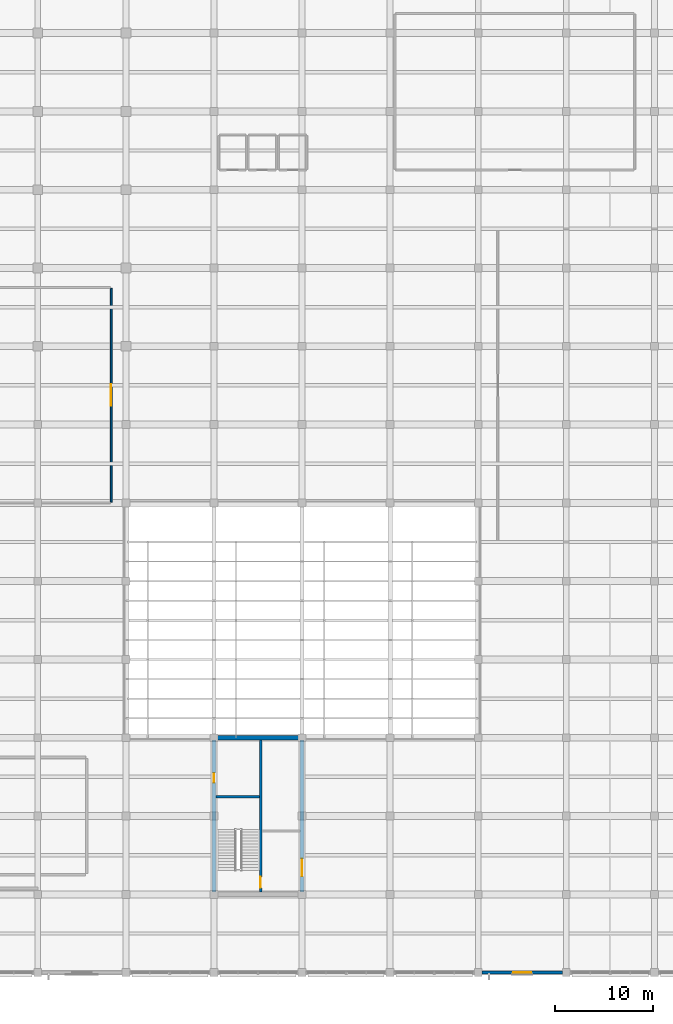
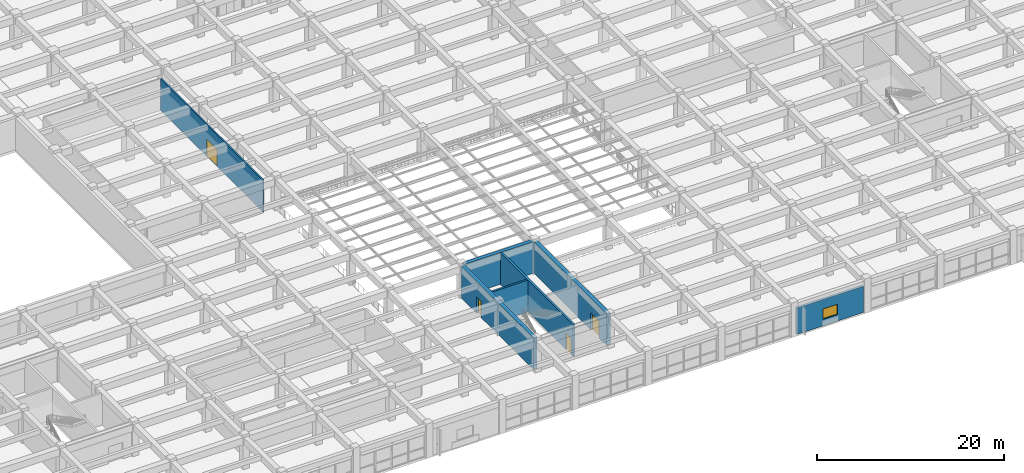
# One storey, part 27 of 50: 7 walls, 4 doors, 1 window, 5 openings.
"""IFC4 building model written with IfcOpenShell, lengths in metres."""

import ifcopenshell
import ifcopenshell.guid

model = None  # the IFC model being written
_history = None  # IfcOwnerHistory: only IFC2X3 demands one
_inside = {}  # id of a spatial element -> (the spatial element, [elements in it])
_under = {}  # id of a project, library or spatial element -> (it, [spatial elements below it])
_declared = {}  # id of a project -> (the project, [libraries it declares])
_typed = {}  # id of a type object -> (the type object, [elements of that type])
_made_of = {}  # id of a material, layer set ... -> (it, [elements and type objects made of it])


def new_model(schema):
    """Start an empty IFC model of exactly this schema.

    Asked for "IFC4X3", IfcOpenShell would pick the latest addendum, in which some entities
    have other attributes; the version numbers below select the first issue.
    IFC2X3 requires an IfcOwnerHistory on every rooted entity: one is made here for all.
    """
    global model, _history
    if schema == "IFC4X3":
        model = ifcopenshell.file(schema_version=(4, 3, 0, 0))
    else:
        model = ifcopenshell.file(schema=schema)
    _inside.clear()
    _under.clear()
    _declared.clear()
    _typed.clear()
    _made_of.clear()
    _history = None
    if model.schema == "IFC2X3":
        org = make("IfcOrganization", Name="unknown")
        user = make(
            "IfcPersonAndOrganization",
            ThePerson=make("IfcPerson", FamilyName="unknown"),
            TheOrganization=org,
        )
        app = make(
            "IfcApplication",
            ApplicationDeveloper=org,
            Version="unknown",
            ApplicationFullName="unknown",
            ApplicationIdentifier="unknown",
        )
        _history = make(
            "IfcOwnerHistory",
            OwningUser=user,
            OwningApplication=app,
            ChangeAction="ADDED",
            CreationDate=0,
        )
    return model


def make(cls, **values):
    """One entity of the class cls with the attributes given. An attribute that is None is left unset."""
    return model.create_entity(
        cls, **{name: value for name, value in values.items() if value is not None}
    )


def rooted(cls, **values):
    """An entity with a GlobalId (a new one), such as an element, a storey or a relation."""
    return make(cls, GlobalId=ifcopenshell.guid.new(), OwnerHistory=_history, **values)


def si_unit(unit_type, name, prefix=None):
    """IfcSIUnit, for example si_unit("LENGTHUNIT", "METRE", prefix="MILLI")."""
    return make("IfcSIUnit", UnitType=unit_type, Prefix=prefix, Name=name)


def assignment(units):
    """IfcUnitAssignment: the units of a project."""
    return None if units is None else make("IfcUnitAssignment", Units=units)


def point(xyz):
    """IfcCartesianPoint."""
    return None if xyz is None else make("IfcCartesianPoint", Coordinates=xyz)


def direction(xyz):
    """IfcDirection."""
    return None if xyz is None else make("IfcDirection", DirectionRatios=xyz)


def frame(location, z_axis=None, x_axis=None):
    """IfcAxis2Placement3D, a coordinate frame: its origin and axes. An axis left out is left unset."""
    return make(
        "IfcAxis2Placement3D",
        Location=point(location),
        Axis=direction(z_axis),
        RefDirection=direction(x_axis),
    )


def frame_2d(location, x_axis=None):
    """IfcAxis2Placement2D, a coordinate frame in the plane: its origin and x axis."""
    return make(
        "IfcAxis2Placement2D", Location=point(location), RefDirection=direction(x_axis)
    )


def origin():
    """The frame at (0, 0, 0) with its axes left unset."""
    return frame((0.0, 0.0, 0.0))


def place(relative_to, where):
    """IfcLocalPlacement: puts the frame where relative to a parent placement (None: the world)."""
    return make(
        "IfcLocalPlacement", PlacementRelTo=relative_to, RelativePlacement=where
    )


def context(
    kind, dimensions, precision=None, world=None, true_north=None, identifier=None
):
    """IfcGeometricRepresentationContext, for example the 3D "Model" context."""
    return make(
        "IfcGeometricRepresentationContext",
        ContextIdentifier=identifier,
        ContextType=kind,
        CoordinateSpaceDimension=dimensions,
        Precision=precision,
        WorldCoordinateSystem=world,
        TrueNorth=true_north,
    )


def subcontext(parent, identifier, kind, view, scale=None):
    """IfcGeometricRepresentationSubContext, for example "Body" below "Model"."""
    return make(
        "IfcGeometricRepresentationSubContext",
        ContextIdentifier=identifier,
        ContextType=kind,
        ParentContext=parent,
        TargetScale=scale,
        TargetView=view,
    )


def project(units=None, contexts=None):
    """IfcProject with its units and contexts."""
    return rooted(
        "IfcProject",
        Name="project",
        RepresentationContexts=contexts,
        UnitsInContext=assignment(units),
    )


def spatial(cls, under=None, at=None, **own):
    """A site, building, storey or space (cls), placed at a placement, below another one or the project."""
    s = rooted(cls, ObjectPlacement=at, **own)
    if under is not None:
        _under.setdefault(under.id(), (under, []))[1].append(s)
    return s


def profile(cls, at=None, kind="AREA", **sizes):
    """A parametric profile (cls). Its sizes go by their IFC names, for example OverallWidth=200.0."""
    return make(cls, ProfileType=kind, Position=at, **sizes)


def rectangle(**sizes):
    """IfcRectangleProfileDef."""
    return profile("IfcRectangleProfileDef", **sizes)


def extrude(swept, where, along, depth):
    """IfcExtrudedAreaSolid: the profile swept, set in the frame where, extruded along a direction by depth."""
    return make(
        "IfcExtrudedAreaSolid",
        SweptArea=swept,
        Position=where,
        ExtrudedDirection=direction(along),
        Depth=depth,
    )


def shape(context_of_items, identifier, shape_type, items):
    """IfcShapeRepresentation: the items that make up one representation, for example the "Body"."""
    return make(
        "IfcShapeRepresentation",
        ContextOfItems=context_of_items,
        RepresentationIdentifier=identifier,
        RepresentationType=shape_type,
        Items=items,
    )


def material(Name=None, Category=None):
    """IfcMaterial."""
    return make("IfcMaterial", Name=Name, Category=Category)


def layer(
    of_material, thickness, ventilated=None, Name=None, Category=None, Priority=None
):
    """IfcMaterialLayer: one layer of a wall or slab, of a material (None: an air gap)."""
    return make(
        "IfcMaterialLayer",
        Material=of_material,
        LayerThickness=thickness,
        IsVentilated=ventilated,
        Name=Name,
        Category=Category,
        Priority=Priority,
    )


def layer_set(layers, Name=None):
    """IfcMaterialLayerSet."""
    return make("IfcMaterialLayerSet", MaterialLayers=layers, LayerSetName=Name)


def made_of(thing, what):
    """Note that an element or type object is made of a material, layer set ...; save() writes the relation."""
    if what is not None:
        _made_of.setdefault(what.id(), (what, []))[1].append(thing)
    return thing


def type_object(cls, material=None, **own):
    """A type object (cls), such as IfcWallType, which elements share."""
    return made_of(rooted(cls, **own), material)


def element(
    cls,
    number,
    at=None,
    inside=None,
    cuts=None,
    type_object=None,
    material=None,
    context=None,
    identifier="Body",
    shape_type=None,
    held_by="IfcProductDefinitionShape",
    body=None,
    shapes=None,
    **own,
):
    """One element of the class cls, such as IfcWall. Its Tag is "e" and its number.

    at: its placement. inside: the storey or other place that contains it. cuts: it is an
    opening in that element (IfcRelVoidsElement). A single representation is given by context,
    identifier, shape_type and body (its items); several are given by shapes. held_by: the class
    of the entity that holds the representations. save() writes the other relations.
    """
    e = rooted(cls, Tag="e%d" % number, ObjectPlacement=at, **own)
    if body is not None:
        shapes = [shape(context, identifier, shape_type, body)]
    if shapes is not None:
        e.Representation = make(held_by, Representations=shapes)
    if inside is not None:
        _inside.setdefault(inside.id(), (inside, []))[1].append(e)
    if cuts is not None:
        rooted(
            "IfcRelVoidsElement", RelatingBuildingElement=cuts, RelatedOpeningElement=e
        )
    if type_object is not None:
        _typed.setdefault(type_object.id(), (type_object, []))[1].append(e)
    return made_of(e, material)


def fill(opening, filler):
    """IfcRelFillsElement: the door or window that sits in an opening."""
    return rooted(
        "IfcRelFillsElement",
        RelatingOpeningElement=opening,
        RelatedBuildingElement=filler,
    )


def aggregate(whole, parts):
    """IfcRelAggregates: a whole, such as a stair, and the parts it consists of."""
    return rooted("IfcRelAggregates", RelatingObject=whole, RelatedObjects=parts)


def save(model, path):
    """Write the relations noted so far, then the file.

    IfcRelAggregates (storeys below a building ...), IfcRelContainedInSpatialStructure (elements
    in a storey), IfcRelDefinesByType, IfcRelAssociatesMaterial and IfcRelDeclares: one each for
    every whole, place, type object, material and project.
    """
    for whole, parts in _under.values():
        aggregate(whole, parts)
    for where, things in _inside.values():
        rooted(
            "IfcRelContainedInSpatialStructure",
            RelatedElements=things,
            RelatingStructure=where,
        )
    for kind, things in _typed.values():
        rooted("IfcRelDefinesByType", RelatedObjects=things, RelatingType=kind)
    for what, things in _made_of.values():
        rooted("IfcRelAssociatesMaterial", RelatedObjects=things, RelatingMaterial=what)
    for by, libraries in _declared.values():
        rooted("IfcRelDeclares", RelatingContext=by, RelatedDefinitions=libraries)
    model.write(path)


model = new_model("IFC4")

# Units and contexts
model_context = context("Model", 3, precision=1e-05, world=origin(), true_north=direction((0.0, 1.0)))
body_context = subcontext(model_context, "Body", "Model", "MODEL_VIEW")
ifc_project = project(units=[si_unit("LENGTHUNIT", "METRE"), si_unit("AREAUNIT", "SQUARE_METRE"), si_unit("VOLUMEUNIT", "CUBIC_METRE"), si_unit("PLANEANGLEUNIT", "RADIAN"), si_unit("MASSUNIT", "GRAM", prefix="KILO")], contexts=[model_context])

# Site, building, storey
site_placement = place(None, origin())
site = spatial("IfcSite", under=ifc_project, at=site_placement, CompositionType="ELEMENT")
building_placement = place(site_placement, origin())
building = spatial("IfcBuilding", under=site, at=building_placement, Name="Zaverband Oceanarium and Marine Research Institute", CompositionType="ELEMENT")
storey_placement = place(building_placement, frame((0.0, 0.0, 9.0)))
storey = spatial("IfcBuildingStorey", under=building, at=storey_placement, Name="L02", CompositionType="ELEMENT", Elevation=9.0)

# Wall
ifc_material_1 = material(Name="Concrete C50/60", Category="concrete")
ifc_layer_1 = layer(ifc_material_1, 0.449951171875, Name="Concrete C50/60")
ifc_layer_set_1 = layer_set([ifc_layer_1], Name="Concrete C50/60")
wall_type_1 = type_object("IfcWallType", Name="CW-02", PredefinedType="SHEAR", material=ifc_layer_set_1)
wall_1_placement = place(storey_placement, frame((81.22509765625, 24.0, 0.0), z_axis=(0.0, 0.0, 1.0), x_axis=(1.0, 0.0, 0.0)))
element("IfcWall", 1, at=wall_1_placement, inside=storey, type_object=wall_type_1, Name="Structural shear wall CW-02", PredefinedType="SHEAR", context=body_context, shape_type="SweptSolid", body=[
    extrude(rectangle(XDim=8.5498046875, YDim=0.449951171875, at=frame_2d((4.27490234375, 0.0))), origin(), (0.0, 0.0, 1.0), 4.139892578125),
])

# Wall, opening, door
wall_2_placement = place(storey_placement, frame((81.0, 8.22509765625, 0.0), z_axis=(0.0, 0.0, 1.0), x_axis=(0.0, 1.0, 0.0)))
wall_2 = element("IfcWall", 2, at=wall_2_placement, inside=storey, type_object=wall_type_1, Name="Structural shear wall CW-02", PredefinedType="SHEAR", context=body_context, shape_type="SweptSolid", body=[
    extrude(rectangle(XDim=15.5498046875, YDim=0.449951171875, at=frame_2d((7.77490234375, 0.0))), origin(), (0.0, 0.0, 1.0), 4.139892578125),
])
opening_1_placement = place(wall_2_placement, frame((11.199951171875, 0.0, 0.0)))
opening_1 = element("IfcOpeningElement", 3, at=opening_1_placement, cuts=wall_2, Name="Opening FD-03", PredefinedType="OPENING", context=body_context, shape_type="SweptSolid", body=[
    extrude(rectangle(XDim=0.949951171875, YDim=2.10009765625, at=frame_2d((0.47509765625, 1.050048828125))), frame((0.0, 0.23681640625, 0.0), z_axis=(0.0, -1.0, 0.0), x_axis=(1.0, 0.0, 0.0)), (0.0, 0.0, 1.0), 0.473876953125),
])
ifc_material_2 = material(Name="Steel S355", Category="steel")
door_type_1 = type_object("IfcDoorType", Name="FD-03", OperationType="NOTDEFINED", PredefinedType="DOOR", material=ifc_material_2)
door_1_placement = place(opening_1_placement, origin())
door_1 = element("IfcDoor", 4, at=door_1_placement, inside=storey, type_object=door_type_1, Name="Service riser access fire door FD-03", OperationType="SINGLE_SWING_RIGHT", OverallHeight=2.10009765625, OverallWidth=0.949951171875, PredefinedType="DOOR", context=body_context, shape_type="SweptSolid", body=[
    extrude(rectangle(XDim=0.949951171875, YDim=2.10009765625, at=frame_2d((0.47509765625, 1.050048828125))), frame((0.0, 0.02490234375, 0.0), z_axis=(0.0, -1.0, 0.0), x_axis=(1.0, 0.0, 0.0)), (0.0, 0.0, 1.0), 0.050048828125),
])
fill(opening_1, door_1)

wall_3_placement = place(storey_placement, frame((90.0, 8.22509765625, 0.0), z_axis=(0.0, 0.0, 1.0), x_axis=(0.0, 1.0, 0.0)))
wall_3 = element("IfcWall", 5, at=wall_3_placement, inside=storey, type_object=wall_type_1, Name="Structural shear wall CW-02", PredefinedType="SHEAR", context=body_context, shape_type="SweptSolid", body=[
    extrude(rectangle(XDim=15.5498046875, YDim=0.449951171875, at=frame_2d((7.77490234375, 0.0))), origin(), (0.0, 0.0, 1.0), 4.139892578125),
])
opening_2_placement = place(wall_3_placement, frame((1.60009765625, 0.0, 0.0)))
opening_2 = element("IfcOpeningElement", 6, at=opening_2_placement, cuts=wall_3, Name="Opening FD-02", PredefinedType="OPENING", context=body_context, shape_type="SweptSolid", body=[
    extrude(rectangle(XDim=1.800048828125, YDim=2.179931640625, at=frame_2d((0.89990234375, 1.08984375))), frame((0.0, 0.23681640625, 0.0), z_axis=(0.0, -1.0, 0.0), x_axis=(1.0, 0.0, 0.0)), (0.0, 0.0, 1.0), 0.473876953125),
])
door_type_2 = type_object("IfcDoorType", Name="FD-02", OperationType="DOUBLE_DOOR_SINGLE_SWING", PredefinedType="DOOR", material=ifc_material_2)
door_2_placement = place(opening_2_placement, origin())
door_2 = element("IfcDoor", 7, at=door_2_placement, inside=storey, type_object=door_type_2, Name="Protected lobby double fire door FD-02", OperationType="DOUBLE_DOOR_SINGLE_SWING", OverallHeight=2.179931640625, OverallWidth=1.800048828125, PredefinedType="DOOR", context=body_context, shape_type="SweptSolid", body=[
    extrude(rectangle(XDim=1.800048828125, YDim=2.179931640625, at=frame_2d((0.89990234375, 1.08984375))), frame((0.0, 0.02490234375, 0.0), z_axis=(0.0, -1.0, 0.0), x_axis=(1.0, 0.0, 0.0)), (0.0, 0.0, 1.0), 0.050048828125),
])
fill(opening_2, door_2)

# Wall, opening, window
ifc_material_3 = material(Name="Concrete C40/50 precast", Category="concrete")
ifc_layer_2 = layer(ifc_material_3, 0.2900390625, Name="Concrete C40/50 precast")
ifc_layer_set_2 = layer_set([ifc_layer_2], Name="Concrete C40/50 precast")
wall_type_2 = type_object("IfcWallType", Name="EW-290", PredefinedType="STANDARD", material=ifc_layer_set_2)
wall_4_placement = place(storey_placement, frame((108.405029296875, 0.0, 0.0), z_axis=(0.0, 0.0, 1.0), x_axis=(1.0, 0.0, 0.0)))
wall_4 = element("IfcWall", 8, at=wall_4_placement, inside=storey, type_object=wall_type_2, Name="Exterior infill wall EW-290", PredefinedType="STANDARD", context=body_context, shape_type="SweptSolid", body=[
    extrude(rectangle(XDim=8.18994140625, YDim=0.2900390625, at=frame_2d((4.094970703125, 0.0))), origin(), (0.0, 0.0, 1.0), 3.419921875),
])
opening_3_placement = place(wall_4_placement, frame((3.195068359375, 0.0, 0.85009765625)))
opening_3 = element("IfcOpeningElement", 9, at=opening_3_placement, cuts=wall_4, Name="Opening WN-1800x1350", PredefinedType="OPENING", context=body_context, shape_type="SweptSolid", body=[
    extrude(rectangle(XDim=1.800048828125, YDim=1.35009765625, at=frame_2d((0.89990234375, 0.675048828125))), frame((0.0, 0.156982421875, 0.0), z_axis=(0.0, -1.0, 0.0), x_axis=(1.0, 0.0, 0.0)), (0.0, 0.0, 1.0), 0.31396484375),
])
ifc_material_4 = material(Name="Thermally broken anodized aluminium and solar-control glass", Category="aluminium")
window_type = type_object("IfcWindowType", Name="WN-1800x1350", PartitioningType="SINGLE_PANEL", PredefinedType="WINDOW", material=ifc_material_4)
window_placement = place(opening_3_placement, origin())
window = element("IfcWindow", 10, at=window_placement, inside=storey, type_object=window_type, Name="Fixed / casement exterior window WN-1800x1350", OverallHeight=1.35009765625, OverallWidth=1.800048828125, PartitioningType="SINGLE_PANEL", PredefinedType="WINDOW", context=body_context, shape_type="SweptSolid", body=[
    extrude(rectangle(XDim=1.800048828125, YDim=1.35009765625, at=frame_2d((0.89990234375, 0.675048828125))), frame((0.0, 0.030029296875, 0.0), z_axis=(0.0, -1.0, 0.0), x_axis=(1.0, 0.0, 0.0)), (0.0, 0.0, 1.0), 0.06005859375),
])
fill(opening_3, window)

# Wall, opening, door
ifc_material_5 = material(Name="Corridor rated drywall partition")
ifc_layer_3 = layer(ifc_material_5, 0.1650390625, Name="Corridor rated drywall partition")
ifc_layer_set_3 = layer_set([ifc_layer_3], Name="Corridor rated drywall partition")
wall_type_3 = type_object("IfcWallType", Name="PT-165-CR", PredefinedType="PARTITIONING", material=ifc_layer_set_3)
wall_5_placement = place(storey_placement, frame((70.5, 48.08251953125, 0.0), z_axis=(0.0, 0.0, 1.0), x_axis=(0.0, 1.0, 0.0)))
wall_5 = element("IfcWall", 11, at=wall_5_placement, inside=storey, type_object=wall_type_3, Name="Internal partition PT-165-CR", PredefinedType="PARTITIONING", context=body_context, shape_type="SweptSolid", body=[
    extrude(rectangle(XDim=21.8349609375, YDim=0.1650390625, at=frame_2d((10.91748046875, 0.0))), origin(), (0.0, 0.0, 1.0), 4.139892578125),
])
opening_4_placement = place(wall_5_placement, frame((9.8173828125, 0.0, 0.0)))
opening_4 = element("IfcOpeningElement", 12, at=opening_4_placement, cuts=wall_5, Name="Opening ID-2200x2200", PredefinedType="OPENING", context=body_context, shape_type="SweptSolid", body=[
    extrude(rectangle(XDim=2.199951171875, YDim=2.199951171875, at=frame_2d((1.10009765625, 1.10009765625))), frame((0.0, 0.094482421875, 0.0), z_axis=(0.0, -1.0, 0.0), x_axis=(1.0, 0.0, 0.0)), (0.0, 0.0, 1.0), 0.18896484375),
])
ifc_material_6 = material(Name="Hardwood-veneered acoustic timber", Category="wood")
door_type_3 = type_object("IfcDoorType", Name="ID-2200x2200", OperationType="DOUBLE_DOOR_SINGLE_SWING", PredefinedType="DOOR", material=ifc_material_6)
door_3_placement = place(opening_4_placement, origin())
door_3 = element("IfcDoor", 13, at=door_3_placement, inside=storey, type_object=door_type_3, Name="Gallery double public door ID-2200x2200", OperationType="DOUBLE_DOOR_SINGLE_SWING", OverallHeight=2.199951171875, OverallWidth=2.199951171875, PredefinedType="DOOR", context=body_context, shape_type="SweptSolid", body=[
    extrude(rectangle(XDim=2.199951171875, YDim=2.199951171875, at=frame_2d((1.10009765625, 1.10009765625))), frame((0.0, 0.02490234375, 0.0), z_axis=(0.0, -1.0, 0.0), x_axis=(1.0, 0.0, 0.0)), (0.0, 0.0, 1.0), 0.050048828125),
])
fill(opening_4, door_3)

ifc_layer_4 = layer(ifc_material_1, 0.25, Name="Concrete C50/60")
ifc_layer_set_4 = layer_set([ifc_layer_4], Name="Concrete C50/60")
wall_type_4 = type_object("IfcWallType", Name="PW-CORE-250", PredefinedType="SOLIDWALL", material=ifc_layer_set_4)
wall_6_placement = place(storey_placement, frame((85.77490234375, 8.22509765625, 0.0), z_axis=(0.0, 0.0, 1.0), x_axis=(0.0, 1.0, 0.0)))
wall_6 = element("IfcWall", 14, at=wall_6_placement, inside=storey, type_object=wall_type_4, Name="Structural concrete wall PW-CORE-250", PredefinedType="SOLIDWALL", context=body_context, shape_type="SweptSolid", body=[
    extrude(rectangle(XDim=15.5498046875, YDim=0.25, at=frame_2d((7.77490234375, 0.0))), origin(), (0.0, 0.0, 1.0), 4.139892578125),
])
opening_5_placement = place(wall_6_placement, frame((0.449951171875, 0.0, 0.0)))
opening_5 = element("IfcOpeningElement", 15, at=opening_5_placement, cuts=wall_6, Name="Opening FD-01", PredefinedType="OPENING", context=body_context, shape_type="SweptSolid", body=[
    extrude(rectangle(XDim=1.10009765625, YDim=2.14990234375, at=frame_2d((0.550048828125, 1.074951171875))), frame((0.0, 0.136962890625, 0.0), z_axis=(0.0, -1.0, 0.0), x_axis=(1.0, 0.0, 0.0)), (0.0, 0.0, 1.0), 0.27392578125),
])
door_type_4 = type_object("IfcDoorType", Name="FD-01", OperationType="NOTDEFINED", PredefinedType="DOOR", material=ifc_material_2)
door_4_placement = place(opening_5_placement, origin())
door_4 = element("IfcDoor", 16, at=door_4_placement, inside=storey, type_object=door_type_4, Name="Core stair / lobby fire door FD-01", OperationType="SINGLE_SWING_LEFT", OverallHeight=2.14990234375, OverallWidth=1.10009765625, PredefinedType="DOOR", context=body_context, shape_type="SweptSolid", body=[
    extrude(rectangle(XDim=1.10009765625, YDim=2.14990234375, at=frame_2d((0.550048828125, 1.074951171875))), frame((0.0, 0.02490234375, 0.0), z_axis=(0.0, -1.0, 0.0), x_axis=(1.0, 0.0, 0.0)), (0.0, 0.0, 1.0), 0.050048828125),
])
fill(opening_5, door_4)

# Wall
wall_7_placement = place(storey_placement, frame((81.22509765625, 17.97509765625, 0.0), z_axis=(0.0, 0.0, 1.0), x_axis=(1.0, 0.0, 0.0)))
element("IfcWall", 17, at=wall_7_placement, inside=storey, type_object=wall_type_4, Name="Structural concrete wall PW-CORE-250", PredefinedType="SOLIDWALL", context=body_context, shape_type="SweptSolid", body=[
    extrude(rectangle(XDim=4.419921875, YDim=0.25, at=frame_2d((2.2099609375, 0.0))), origin(), (0.0, 0.0, 1.0), 4.139892578125),
])

save(model, "model.ifc")
